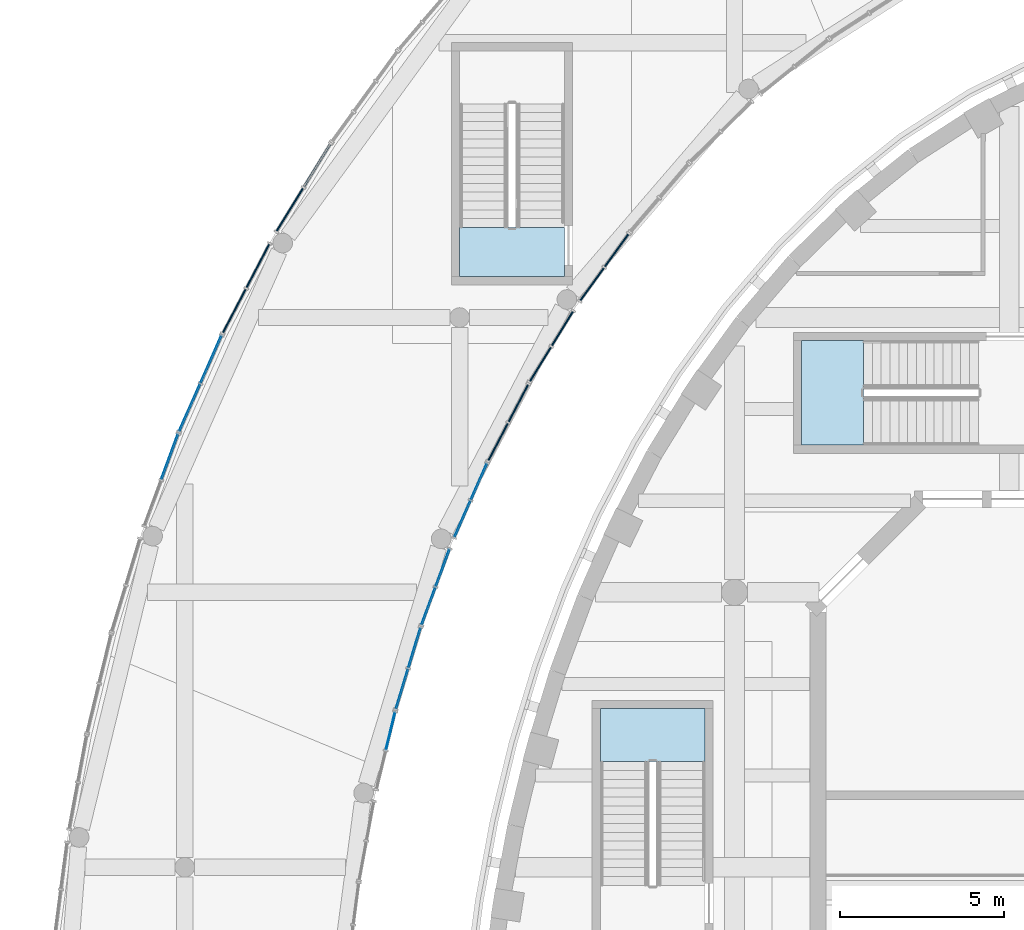
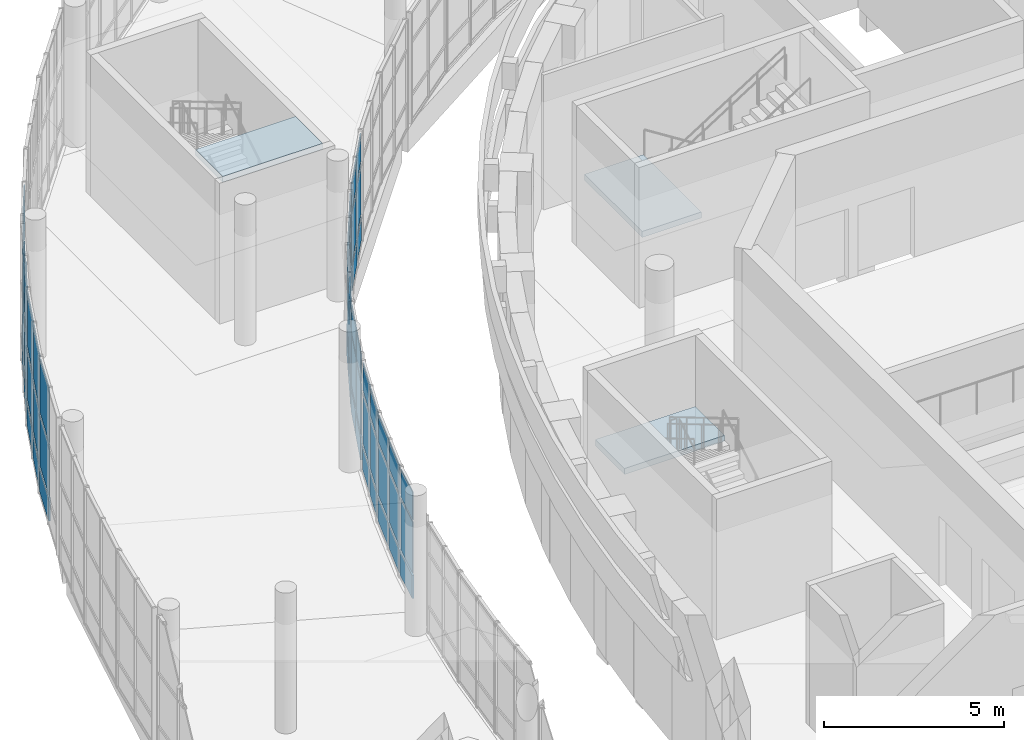
# One storey, part 50 of 119: 58 plates, 3 slabs, 14 elements without a shape of their own.
"""IFC4 building model written with IfcOpenShell, lengths in metres."""

from ifc_helpers import new_model, si_unit, direction, frame, origin, origin_2d, place, context, subcontext, project, spatial, polyline, rectangle, outline, extrude, material, layer, layer_set, type_object, element, aggregate, save


model = new_model("IFC4")

# Units and contexts
model_context = context("Model", 3, precision=1e-05, world=origin(), true_north=direction((0.0, 1.0)))
body_context = subcontext(model_context, "Body", "Model", "MODEL_VIEW")
ifc_project = project(units=[si_unit("LENGTHUNIT", "METRE"), si_unit("AREAUNIT", "SQUARE_METRE"), si_unit("VOLUMEUNIT", "CUBIC_METRE"), si_unit("PLANEANGLEUNIT", "RADIAN"), si_unit("MASSUNIT", "GRAM", prefix="KILO")], contexts=[model_context])

# Site, building, storey
site_placement = place(None, origin())
site = spatial("IfcSite", under=ifc_project, at=site_placement, CompositionType="ELEMENT")
building_placement = place(site_placement, origin())
building = spatial("IfcBuilding", under=site, at=building_placement, Name="Larchfold Concert Hall", CompositionType="ELEMENT")
storey_placement = place(building_placement, frame((0.0, 0.0, 4.800048828125)))
storey = spatial("IfcBuildingStorey", under=building, at=storey_placement, Name="L01", CompositionType="ELEMENT", Elevation=4.800048828125)

# Curtain wall, plates
ifc_material_1 = material(Name="Anodised graphite aluminium curtain wall", Category="aluminium")
ifc_layer_1 = layer(ifc_material_1, 0.14990234375)
ifc_layer_set_1 = layer_set([ifc_layer_1], Name="Anodised graphite aluminium curtain wall")
curtain_wall_type = type_object("IfcCurtainWallType", Name="Curtain wall WG", PredefinedType="NOTDEFINED", material=ifc_layer_set_1)
curtain_wall_1_placement = place(storey_placement, origin())
curtain_wall_1 = element("IfcCurtainWall", 1, at=curtain_wall_1_placement, inside=storey, type_object=curtain_wall_type, Name="Curtain wall CW0151", PredefinedType="NOTDEFINED")
ifc_material_2 = material(Name="Insulated glazing unit, glass", Category="glass")
ifc_layer_2 = layer(ifc_material_2, 0.028076171875)
ifc_layer_set_2 = layer_set([ifc_layer_2], Name="Insulated glazing unit, glass")
plate_type_1 = type_object("IfcPlateType", Name="Glass panel 28", PredefinedType="CURTAIN_PANEL", material=ifc_layer_set_2)
plate_1_placement = place(storey_placement, frame((15.286865234375, 97.163818359375, 0.93994140625), z_axis=(0.0, 0.0, 1.0), x_axis=(0.235963339363, 0.971761957722, 0.0)))
plate_1 = element("IfcPlate", 2, at=plate_1_placement, type_object=plate_type_1, Name="CW0151 panel 2.2", PredefinedType="CURTAIN_PANEL", context=body_context, shape_type="SweptSolid", body=[
    extrude(rectangle(XDim=1.169677734375, YDim=0.028076171875, at=origin_2d()), origin(), (0.0, 0.0, 1.0), 1.719970703125),
])
plate_2_placement = place(storey_placement, frame((15.286865234375, 97.163818359375, 2.740234375), z_axis=(0.0, 0.0, 1.0), x_axis=(0.235963339363, 0.971761957722, 0.0)))
plate_2 = element("IfcPlate", 3, at=plate_2_placement, type_object=plate_type_1, Name="CW0151 panel 2.3", PredefinedType="CURTAIN_PANEL", context=body_context, shape_type="SweptSolid", body=[
    extrude(rectangle(XDim=1.169677734375, YDim=0.028076171875, at=origin_2d()), origin(), (0.0, 0.0, 1.0), 0.929931640625),
])

curtain_wall_2_placement = place(storey_placement, origin())
curtain_wall_2 = element("IfcCurtainWall", 4, at=curtain_wall_2_placement, inside=storey, type_object=curtain_wall_type, Name="Curtain wall CW0152", PredefinedType="NOTDEFINED")
plate_3_placement = place(storey_placement, frame((15.638671875, 98.447998046875, 0.93994140625), z_axis=(0.0, 0.0, 1.0), x_axis=(0.290561772224, 0.956856236078, 0.0)))
plate_3 = element("IfcPlate", 5, at=plate_3_placement, type_object=plate_type_1, Name="CW0152 panel 1.2", PredefinedType="CURTAIN_PANEL", context=body_context, shape_type="SweptSolid", body=[
    extrude(rectangle(XDim=1.25439453125, YDim=0.028076171875, at=origin_2d()), origin(), (0.0, 0.0, 1.0), 1.719970703125),
])
plate_4_placement = place(storey_placement, frame((15.638671875, 98.447998046875, 2.740234375), z_axis=(0.0, 0.0, 1.0), x_axis=(0.290561772224, 0.956856236078, 0.0)))
plate_4 = element("IfcPlate", 6, at=plate_4_placement, type_object=plate_type_1, Name="CW0152 panel 1.3", PredefinedType="CURTAIN_PANEL", context=body_context, shape_type="SweptSolid", body=[
    extrude(rectangle(XDim=1.25439453125, YDim=0.028076171875, at=origin_2d()), origin(), (0.0, 0.0, 1.0), 0.929931640625),
])
plate_5_placement = place(storey_placement, frame((16.0205078125, 99.705810546875, 0.93994140625), z_axis=(0.0, 0.0, 1.0), x_axis=(0.290561772224, 0.956856236078, 0.0)))
plate_5 = element("IfcPlate", 7, at=plate_5_placement, type_object=plate_type_1, Name="CW0152 panel 2.2", PredefinedType="CURTAIN_PANEL", context=body_context, shape_type="SweptSolid", body=[
    extrude(rectangle(XDim=1.25439453125, YDim=0.028076171875, at=origin_2d()), origin(), (0.0, 0.0, 1.0), 1.719970703125),
])
plate_6_placement = place(storey_placement, frame((16.0205078125, 99.705810546875, 2.740234375), z_axis=(0.0, 0.0, 1.0), x_axis=(0.290561772224, 0.956856236078, 0.0)))
plate_6 = element("IfcPlate", 8, at=plate_6_placement, type_object=plate_type_1, Name="CW0152 panel 2.3", PredefinedType="CURTAIN_PANEL", context=body_context, shape_type="SweptSolid", body=[
    extrude(rectangle(XDim=1.25439453125, YDim=0.028076171875, at=origin_2d()), origin(), (0.0, 0.0, 1.0), 0.929931640625),
])

curtain_wall_3_placement = place(storey_placement, origin())
curtain_wall_3 = element("IfcCurtainWall", 9, at=curtain_wall_3_placement, inside=storey, type_object=curtain_wall_type, Name="Curtain wall CW0153", PredefinedType="NOTDEFINED")
plate_7_placement = place(storey_placement, frame((16.447021484375, 100.977294921875, 0.93994140625), z_axis=(0.0, 0.0, 1.0), x_axis=(0.346611808768, 0.938008664151, 0.0)))
plate_7 = element("IfcPlate", 10, at=plate_7_placement, type_object=plate_type_1, Name="CW0153 panel 1.2", PredefinedType="CURTAIN_PANEL", context=body_context, shape_type="SweptSolid", body=[
    extrude(rectangle(XDim=1.189208984375, YDim=0.028076171875, at=origin_2d()), origin(), (0.0, 0.0, 1.0), 1.719970703125),
])
plate_8_placement = place(storey_placement, frame((16.447021484375, 100.977294921875, 2.740234375), z_axis=(0.0, 0.0, 1.0), x_axis=(0.346611808768, 0.938008664151, 0.0)))
plate_8 = element("IfcPlate", 11, at=plate_8_placement, type_object=plate_type_1, Name="CW0153 panel 1.3", PredefinedType="CURTAIN_PANEL", context=body_context, shape_type="SweptSolid", body=[
    extrude(rectangle(XDim=1.189208984375, YDim=0.028076171875, at=origin_2d()), origin(), (0.0, 0.0, 1.0), 0.929931640625),
])
plate_9_placement = place(storey_placement, frame((16.880126953125, 102.14892578125, 0.93994140625), z_axis=(0.0, 0.0, 1.0), x_axis=(0.346611808768, 0.938008664151, 0.0)))
plate_9 = element("IfcPlate", 12, at=plate_9_placement, type_object=plate_type_1, Name="CW0153 panel 2.2", PredefinedType="CURTAIN_PANEL", context=body_context, shape_type="SweptSolid", body=[
    extrude(rectangle(XDim=1.189208984375, YDim=0.028076171875, at=origin_2d()), origin(), (0.0, 0.0, 1.0), 1.719970703125),
])
plate_10_placement = place(storey_placement, frame((16.880126953125, 102.14892578125, 2.740234375), z_axis=(0.0, 0.0, 1.0), x_axis=(0.346611808768, 0.938008664151, 0.0)))
plate_10 = element("IfcPlate", 13, at=plate_10_placement, type_object=plate_type_1, Name="CW0153 panel 2.3", PredefinedType="CURTAIN_PANEL", context=body_context, shape_type="SweptSolid", body=[
    extrude(rectangle(XDim=1.189208984375, YDim=0.028076171875, at=origin_2d()), origin(), (0.0, 0.0, 1.0), 0.929931640625),
])

curtain_wall_4_placement = place(storey_placement, origin())
curtain_wall_4 = element("IfcCurtainWall", 14, at=curtain_wall_4_placement, inside=storey, type_object=curtain_wall_type, Name="Curtain wall CW0154", PredefinedType="NOTDEFINED")
plate_11_placement = place(storey_placement, frame((17.48583984375, 103.64208984375, 0.93994140625), z_axis=(0.0, 0.0, 1.0), x_axis=(0.404033536523, 0.914744172632, 0.0)))
plate_11 = element("IfcPlate", 15, at=plate_11_placement, type_object=plate_type_1, Name="CW0154 panel 1.2", PredefinedType="CURTAIN_PANEL", context=body_context, shape_type="SweptSolid", body=[
    extrude(rectangle(XDim=1.185791015625, YDim=0.028076171875, at=origin_2d()), origin(), (0.0, 0.0, 1.0), 1.719970703125),
])
plate_12_placement = place(storey_placement, frame((17.48583984375, 103.64208984375, 2.740234375), z_axis=(0.0, 0.0, 1.0), x_axis=(0.404033536523, 0.914744172632, 0.0)))
plate_12 = element("IfcPlate", 16, at=plate_12_placement, type_object=plate_type_1, Name="CW0154 panel 1.3", PredefinedType="CURTAIN_PANEL", context=body_context, shape_type="SweptSolid", body=[
    extrude(rectangle(XDim=1.185791015625, YDim=0.028076171875, at=origin_2d()), origin(), (0.0, 0.0, 1.0), 0.929931640625),
])
plate_13_placement = place(storey_placement, frame((17.989013671875, 104.781982421875, 0.93994140625), z_axis=(0.0, 0.0, 1.0), x_axis=(0.404033536523, 0.914744172632, 0.0)))
plate_13 = element("IfcPlate", 17, at=plate_13_placement, type_object=plate_type_1, Name="CW0154 panel 2.2", PredefinedType="CURTAIN_PANEL", context=body_context, shape_type="SweptSolid", body=[
    extrude(rectangle(XDim=1.185791015625, YDim=0.028076171875, at=origin_2d()), origin(), (0.0, 0.0, 1.0), 1.719970703125),
])
plate_14_placement = place(storey_placement, frame((17.989013671875, 104.781982421875, 2.740234375), z_axis=(0.0, 0.0, 1.0), x_axis=(0.404033536523, 0.914744172632, 0.0)))
plate_14 = element("IfcPlate", 18, at=plate_14_placement, type_object=plate_type_1, Name="CW0154 panel 2.3", PredefinedType="CURTAIN_PANEL", context=body_context, shape_type="SweptSolid", body=[
    extrude(rectangle(XDim=1.185791015625, YDim=0.028076171875, at=origin_2d()), origin(), (0.0, 0.0, 1.0), 0.929931640625),
])

curtain_wall_5_placement = place(storey_placement, origin())
curtain_wall_5 = element("IfcCurtainWall", 19, at=curtain_wall_5_placement, inside=storey, type_object=curtain_wall_type, Name="Curtain wall CW0155", PredefinedType="NOTDEFINED")
plate_15_placement = place(storey_placement, frame((18.576171875, 105.997802734375, 0.93994140625), z_axis=(0.0, 0.0, 1.0), x_axis=(0.46318881793, 0.886259622766, 0.0)))
plate_15 = element("IfcPlate", 20, at=plate_15_placement, type_object=plate_type_1, Name="CW0155 panel 1.2", PredefinedType="CURTAIN_PANEL", context=body_context, shape_type="SweptSolid", body=[
    extrude(rectangle(XDim=1.276123046875, YDim=0.028076171875, at=origin_2d()), origin(), (0.0, 0.0, 1.0), 1.719970703125),
])
plate_16_placement = place(storey_placement, frame((18.576171875, 105.997802734375, 2.740234375), z_axis=(0.0, 0.0, 1.0), x_axis=(0.46318881793, 0.886259622766, 0.0)))
plate_16 = element("IfcPlate", 21, at=plate_16_placement, type_object=plate_type_1, Name="CW0155 panel 1.3", PredefinedType="CURTAIN_PANEL", context=body_context, shape_type="SweptSolid", body=[
    extrude(rectangle(XDim=1.276123046875, YDim=0.028076171875, at=origin_2d()), origin(), (0.0, 0.0, 1.0), 0.929931640625),
])
plate_17_placement = place(storey_placement, frame((19.1953125, 107.18212890625, 0.93994140625), z_axis=(0.0, 0.0, 1.0), x_axis=(0.46318881793, 0.886259622766, 0.0)))
plate_17 = element("IfcPlate", 22, at=plate_17_placement, type_object=plate_type_1, Name="CW0155 panel 2.2", PredefinedType="CURTAIN_PANEL", context=body_context, shape_type="SweptSolid", body=[
    extrude(rectangle(XDim=1.276123046875, YDim=0.028076171875, at=origin_2d()), origin(), (0.0, 0.0, 1.0), 1.719970703125),
])
plate_18_placement = place(storey_placement, frame((19.1953125, 107.18212890625, 2.740234375), z_axis=(0.0, 0.0, 1.0), x_axis=(0.46318881793, 0.886259622766, 0.0)))
plate_18 = element("IfcPlate", 23, at=plate_18_placement, type_object=plate_type_1, Name="CW0155 panel 2.3", PredefinedType="CURTAIN_PANEL", context=body_context, shape_type="SweptSolid", body=[
    extrude(rectangle(XDim=1.276123046875, YDim=0.028076171875, at=origin_2d()), origin(), (0.0, 0.0, 1.0), 0.929931640625),
])

curtain_wall_6_placement = place(storey_placement, origin())
curtain_wall_6 = element("IfcCurtainWall", 24, at=curtain_wall_6_placement, inside=storey, type_object=curtain_wall_type, Name="Curtain wall CW0156", PredefinedType="NOTDEFINED")
plate_19_placement = place(storey_placement, frame((19.869384765625, 108.37109375, 0.93994140625), z_axis=(0.0, 0.0, 1.0), x_axis=(0.524102627808, 0.851655115363, 0.0)))
plate_19 = element("IfcPlate", 25, at=plate_19_placement, type_object=plate_type_1, Name="CW0156 panel 1.2", PredefinedType="CURTAIN_PANEL", context=body_context, shape_type="SweptSolid", body=[
    extrude(rectangle(XDim=1.21923828125, YDim=0.028076171875, at=origin_2d()), origin(), (0.0, 0.0, 1.0), 1.719970703125),
])
plate_20_placement = place(storey_placement, frame((19.869384765625, 108.37109375, 2.740234375), z_axis=(0.0, 0.0, 1.0), x_axis=(0.524102627808, 0.851655115363, 0.0)))
plate_20 = element("IfcPlate", 26, at=plate_20_placement, type_object=plate_type_1, Name="CW0156 panel 1.3", PredefinedType="CURTAIN_PANEL", context=body_context, shape_type="SweptSolid", body=[
    extrude(rectangle(XDim=1.21923828125, YDim=0.028076171875, at=origin_2d()), origin(), (0.0, 0.0, 1.0), 0.929931640625),
])
plate_21_placement = place(storey_placement, frame((20.5400390625, 109.46044921875, 0.93994140625), z_axis=(0.0, 0.0, 1.0), x_axis=(0.524102627808, 0.851655115363, 0.0)))
plate_21 = element("IfcPlate", 27, at=plate_21_placement, type_object=plate_type_1, Name="CW0156 panel 2.2", PredefinedType="CURTAIN_PANEL", context=body_context, shape_type="SweptSolid", body=[
    extrude(rectangle(XDim=1.21923828125, YDim=0.028076171875, at=origin_2d()), origin(), (0.0, 0.0, 1.0), 1.719970703125),
])
plate_22_placement = place(storey_placement, frame((20.5400390625, 109.46044921875, 2.740234375), z_axis=(0.0, 0.0, 1.0), x_axis=(0.524102627808, 0.851655115363, 0.0)))
plate_22 = element("IfcPlate", 28, at=plate_22_placement, type_object=plate_type_1, Name="CW0156 panel 2.3", PredefinedType="CURTAIN_PANEL", context=body_context, shape_type="SweptSolid", body=[
    extrude(rectangle(XDim=1.21923828125, YDim=0.028076171875, at=origin_2d()), origin(), (0.0, 0.0, 1.0), 0.929931640625),
])

curtain_wall_7_placement = place(storey_placement, origin())
curtain_wall_7 = element("IfcCurtainWall", 29, at=curtain_wall_7_placement, inside=storey, type_object=curtain_wall_type, Name="Curtain wall CW0157", PredefinedType="NOTDEFINED")
plate_23_placement = place(storey_placement, frame((21.447998046875, 110.81689453125, 0.93994140625), z_axis=(0.0, 0.0, 1.0), x_axis=(0.58658570496, 0.809887159261, 0.0)))
plate_23 = element("IfcPlate", 30, at=plate_23_placement, type_object=plate_type_1, Name="CW0157 panel 1.2", PredefinedType="CURTAIN_PANEL", context=body_context, shape_type="SweptSolid", body=[
    extrude(rectangle(XDim=1.2197265625, YDim=0.028076171875, at=origin_2d()), origin(), (0.0, 0.0, 1.0), 1.719970703125),
])
plate_24_placement = place(storey_placement, frame((21.447998046875, 110.81689453125, 2.740234375), z_axis=(0.0, 0.0, 1.0), x_axis=(0.58658570496, 0.809887159261, 0.0)))
plate_24 = element("IfcPlate", 31, at=plate_24_placement, type_object=plate_type_1, Name="CW0157 panel 1.3", PredefinedType="CURTAIN_PANEL", context=body_context, shape_type="SweptSolid", body=[
    extrude(rectangle(XDim=1.2197265625, YDim=0.028076171875, at=origin_2d()), origin(), (0.0, 0.0, 1.0), 0.929931640625),
])
plate_25_placement = place(storey_placement, frame((22.198486328125, 111.853515625, 0.93994140625), z_axis=(0.0, 0.0, 1.0), x_axis=(0.58658570496, 0.809887159261, 0.0)))
plate_25 = element("IfcPlate", 32, at=plate_25_placement, type_object=plate_type_1, Name="CW0157 panel 2.2", PredefinedType="CURTAIN_PANEL", context=body_context, shape_type="SweptSolid", body=[
    extrude(rectangle(XDim=1.2197265625, YDim=0.028076171875, at=origin_2d()), origin(), (0.0, 0.0, 1.0), 1.719970703125),
])
plate_26_placement = place(storey_placement, frame((22.198486328125, 111.853515625, 2.740234375), z_axis=(0.0, 0.0, 1.0), x_axis=(0.58658570496, 0.809887159261, 0.0)))
plate_26 = element("IfcPlate", 33, at=plate_26_placement, type_object=plate_type_1, Name="CW0157 panel 2.3", PredefinedType="CURTAIN_PANEL", context=body_context, shape_type="SweptSolid", body=[
    extrude(rectangle(XDim=1.2197265625, YDim=0.028076171875, at=origin_2d()), origin(), (0.0, 0.0, 1.0), 0.929931640625),
])

curtain_wall_8_placement = place(storey_placement, origin())
curtain_wall_8 = element("IfcCurtainWall", 34, at=curtain_wall_8_placement, inside=storey, type_object=curtain_wall_type, Name="Curtain wall CW0186", PredefinedType="NOTDEFINED")
plate_27_placement = place(storey_placement, frame((12.209716796875, 113.096435546875, 0.93994140625), z_axis=(0.0, 0.0, 1.0), x_axis=(-0.524080591715, -0.851668675828, 0.0)))
plate_27 = element("IfcPlate", 35, at=plate_27_placement, type_object=plate_type_1, Name="CW0186 panel 2.2", PredefinedType="CURTAIN_PANEL", context=body_context, shape_type="SweptSolid", body=[
    extrude(rectangle(XDim=1.5283203125, YDim=0.028076171875, at=origin_2d()), origin(), (0.0, 0.0, 1.0), 1.719970703125),
])
plate_28_placement = place(storey_placement, frame((12.209716796875, 113.096435546875, 2.740234375), z_axis=(0.0, 0.0, 1.0), x_axis=(-0.524080591715, -0.851668675828, 0.0)))
plate_28 = element("IfcPlate", 36, at=plate_28_placement, type_object=plate_type_1, Name="CW0186 panel 2.3", PredefinedType="CURTAIN_PANEL", context=body_context, shape_type="SweptSolid", body=[
    extrude(rectangle(XDim=1.5283203125, YDim=0.028076171875, at=origin_2d()), origin(), (0.0, 0.0, 1.0), 1.829833984375),
])

curtain_wall_9_placement = place(storey_placement, origin())
curtain_wall_9 = element("IfcCurtainWall", 37, at=curtain_wall_9_placement, inside=storey, type_object=curtain_wall_type, Name="Curtain wall CW0187", PredefinedType="NOTDEFINED")
plate_29_placement = place(storey_placement, frame((11.234619140625, 111.380615234375, 0.93994140625), z_axis=(0.0, 0.0, 1.0), x_axis=(-0.463123662795, -0.886293671962, 0.0)))
plate_29 = element("IfcPlate", 38, at=plate_29_placement, type_object=plate_type_1, Name="CW0187 panel 1.2", PredefinedType="CURTAIN_PANEL", context=body_context, shape_type="SweptSolid", body=[
    extrude(rectangle(XDim=1.49560546875, YDim=0.028076171875, at=origin_2d()), origin(), (0.0, 0.0, 1.0), 1.719970703125),
])
plate_30_placement = place(storey_placement, frame((11.234619140625, 111.380615234375, 2.740234375), z_axis=(0.0, 0.0, 1.0), x_axis=(-0.463123662795, -0.886293671962, 0.0)))
plate_30 = element("IfcPlate", 39, at=plate_30_placement, type_object=plate_type_1, Name="CW0187 panel 1.3", PredefinedType="CURTAIN_PANEL", context=body_context, shape_type="SweptSolid", body=[
    extrude(rectangle(XDim=1.49560546875, YDim=0.028076171875, at=origin_2d()), origin(), (0.0, 0.0, 1.0), 1.829833984375),
])
plate_31_placement = place(storey_placement, frame((10.513916015625, 110.001953125, 0.93994140625), z_axis=(0.0, 0.0, 1.0), x_axis=(-0.463123662795, -0.886293671962, 0.0)))
plate_31 = element("IfcPlate", 40, at=plate_31_placement, type_object=plate_type_1, Name="CW0187 panel 2.2", PredefinedType="CURTAIN_PANEL", context=body_context, shape_type="SweptSolid", body=[
    extrude(rectangle(XDim=1.49560546875, YDim=0.028076171875, at=origin_2d()), origin(), (0.0, 0.0, 1.0), 1.719970703125),
])
plate_32_placement = place(storey_placement, frame((10.513916015625, 110.001953125, 2.740234375), z_axis=(0.0, 0.0, 1.0), x_axis=(-0.463123662795, -0.886293671962, 0.0)))
plate_32 = element("IfcPlate", 41, at=plate_32_placement, type_object=plate_type_1, Name="CW0187 panel 2.3", PredefinedType="CURTAIN_PANEL", context=body_context, shape_type="SweptSolid", body=[
    extrude(rectangle(XDim=1.49560546875, YDim=0.028076171875, at=origin_2d()), origin(), (0.0, 0.0, 1.0), 1.829833984375),
])

curtain_wall_10_placement = place(storey_placement, origin())
curtain_wall_10 = element("IfcCurtainWall", 42, at=curtain_wall_10_placement, inside=storey, type_object=curtain_wall_type, Name="Curtain wall CW0188", PredefinedType="NOTDEFINED")
plate_33_placement = place(storey_placement, frame((9.801513671875, 108.52001953125, 0.93994140625), z_axis=(0.0, 0.0, 1.0), x_axis=(-0.404126294549, -0.914703196701, 0.0)))
plate_33 = element("IfcPlate", 43, at=plate_33_placement, type_object=plate_type_1, Name="CW0188 panel 1.2", PredefinedType="CURTAIN_PANEL", context=body_context, shape_type="SweptSolid", body=[
    extrude(rectangle(XDim=1.554443359375, YDim=0.028076171875, at=origin_2d()), origin(), (0.0, 0.0, 1.0), 1.719970703125),
])
plate_34_placement = place(storey_placement, frame((9.801513671875, 108.52001953125, 2.740234375), z_axis=(0.0, 0.0, 1.0), x_axis=(-0.404126294549, -0.914703196701, 0.0)))
plate_34 = element("IfcPlate", 44, at=plate_34_placement, type_object=plate_type_1, Name="CW0188 panel 1.3", PredefinedType="CURTAIN_PANEL", context=body_context, shape_type="SweptSolid", body=[
    extrude(rectangle(XDim=1.554443359375, YDim=0.028076171875, at=origin_2d()), origin(), (0.0, 0.0, 1.0), 1.829833984375),
])
plate_35_placement = place(storey_placement, frame((9.149169921875, 107.04345703125, 0.93994140625), z_axis=(0.0, 0.0, 1.0), x_axis=(-0.404126294549, -0.914703196701, 0.0)))
plate_35 = element("IfcPlate", 45, at=plate_35_placement, type_object=plate_type_1, Name="CW0188 panel 2.2", PredefinedType="CURTAIN_PANEL", context=body_context, shape_type="SweptSolid", body=[
    extrude(rectangle(XDim=1.554443359375, YDim=0.028076171875, at=origin_2d()), origin(), (0.0, 0.0, 1.0), 1.719970703125),
])
plate_36_placement = place(storey_placement, frame((9.149169921875, 107.04345703125, 2.740234375), z_axis=(0.0, 0.0, 1.0), x_axis=(-0.404126294549, -0.914703196701, 0.0)))
plate_36 = element("IfcPlate", 46, at=plate_36_placement, type_object=plate_type_1, Name="CW0188 panel 2.3", PredefinedType="CURTAIN_PANEL", context=body_context, shape_type="SweptSolid", body=[
    extrude(rectangle(XDim=1.554443359375, YDim=0.028076171875, at=origin_2d()), origin(), (0.0, 0.0, 1.0), 1.829833984375),
])

curtain_wall_11_placement = place(storey_placement, origin())
curtain_wall_11 = element("IfcCurtainWall", 47, at=curtain_wall_11_placement, inside=storey, type_object=curtain_wall_type, Name="Curtain wall CW0189", PredefinedType="NOTDEFINED")
plate_37_placement = place(storey_placement, frame((8.539306640625, 105.542724609375, 0.93994140625), z_axis=(0.0, 0.0, 1.0), x_axis=(-0.346592402451, -0.938015834921, 0.0)))
plate_37 = element("IfcPlate", 48, at=plate_37_placement, type_object=plate_type_1, Name="CW0189 panel 1.2", PredefinedType="CURTAIN_PANEL", context=body_context, shape_type="SweptSolid", body=[
    extrude(rectangle(XDim=1.446533203125, YDim=0.028076171875, at=origin_2d()), origin(), (0.0, 0.0, 1.0), 1.719970703125),
])
plate_38_placement = place(storey_placement, frame((8.539306640625, 105.542724609375, 2.740234375), z_axis=(0.0, 0.0, 1.0), x_axis=(-0.346592402451, -0.938015834921, 0.0)))
plate_38 = element("IfcPlate", 49, at=plate_38_placement, type_object=plate_type_1, Name="CW0189 panel 1.3", PredefinedType="CURTAIN_PANEL", context=body_context, shape_type="SweptSolid", body=[
    extrude(rectangle(XDim=1.446533203125, YDim=0.028076171875, at=origin_2d()), origin(), (0.0, 0.0, 1.0), 1.829833984375),
])

# Plate
ifc_material_3 = material(Name="White insulated panel")
ifc_layer_3 = layer(ifc_material_3, 0.06005859375)
ifc_layer_set_3 = layer_set([ifc_layer_3], Name="White insulated panel")
plate_type_2 = type_object("IfcPlateType", Name="Insulated spandrel panel 60", PredefinedType="CURTAIN_PANEL", material=ifc_layer_set_3)
plate_39_placement = place(storey_placement, frame((15.286865234375, 97.163818359375, 0.080078125), z_axis=(0.0, 0.0, 1.0), x_axis=(0.235963339363, 0.971761957722, 0.0)))
plate_39 = element("IfcPlate", 50, at=plate_39_placement, type_object=plate_type_2, Name="CW0151 panel 2.1", PredefinedType="CURTAIN_PANEL", context=body_context, shape_type="SweptSolid", body=[
    extrude(rectangle(XDim=1.169677734375, YDim=0.06005859375, at=origin_2d()), origin(), (0.0, 0.0, 1.0), 0.77978515625),
])

aggregate(curtain_wall_1, [plate_39, plate_1, plate_2])

plate_40_placement = place(storey_placement, frame((15.638671875, 98.447998046875, 0.080078125), z_axis=(0.0, 0.0, 1.0), x_axis=(0.290561772224, 0.956856236078, 0.0)))
plate_40 = element("IfcPlate", 51, at=plate_40_placement, type_object=plate_type_2, Name="CW0152 panel 1.1", PredefinedType="CURTAIN_PANEL", context=body_context, shape_type="SweptSolid", body=[
    extrude(rectangle(XDim=1.25439453125, YDim=0.06005859375, at=origin_2d()), origin(), (0.0, 0.0, 1.0), 0.77978515625),
])

plate_41_placement = place(storey_placement, frame((16.0205078125, 99.705810546875, 0.080078125), z_axis=(0.0, 0.0, 1.0), x_axis=(0.290561772224, 0.956856236078, 0.0)))
plate_41 = element("IfcPlate", 52, at=plate_41_placement, type_object=plate_type_2, Name="CW0152 panel 2.1", PredefinedType="CURTAIN_PANEL", context=body_context, shape_type="SweptSolid", body=[
    extrude(rectangle(XDim=1.25439453125, YDim=0.06005859375, at=origin_2d()), origin(), (0.0, 0.0, 1.0), 0.77978515625),
])

aggregate(curtain_wall_2, [plate_40, plate_3, plate_4, plate_41, plate_5, plate_6])

plate_42_placement = place(storey_placement, frame((16.447021484375, 100.977294921875, 0.080078125), z_axis=(0.0, 0.0, 1.0), x_axis=(0.346611808768, 0.938008664151, 0.0)))
plate_42 = element("IfcPlate", 53, at=plate_42_placement, type_object=plate_type_2, Name="CW0153 panel 1.1", PredefinedType="CURTAIN_PANEL", context=body_context, shape_type="SweptSolid", body=[
    extrude(rectangle(XDim=1.189208984375, YDim=0.06005859375, at=origin_2d()), origin(), (0.0, 0.0, 1.0), 0.77978515625),
])

plate_43_placement = place(storey_placement, frame((16.880126953125, 102.14892578125, 0.080078125), z_axis=(0.0, 0.0, 1.0), x_axis=(0.346611808768, 0.938008664151, 0.0)))
plate_43 = element("IfcPlate", 54, at=plate_43_placement, type_object=plate_type_2, Name="CW0153 panel 2.1", PredefinedType="CURTAIN_PANEL", context=body_context, shape_type="SweptSolid", body=[
    extrude(rectangle(XDim=1.189208984375, YDim=0.06005859375, at=origin_2d()), origin(), (0.0, 0.0, 1.0), 0.77978515625),
])

aggregate(curtain_wall_3, [plate_42, plate_7, plate_8, plate_43, plate_9, plate_10])

plate_44_placement = place(storey_placement, frame((17.48583984375, 103.64208984375, 0.080078125), z_axis=(0.0, 0.0, 1.0), x_axis=(0.404033536523, 0.914744172632, 0.0)))
plate_44 = element("IfcPlate", 55, at=plate_44_placement, type_object=plate_type_2, Name="CW0154 panel 1.1", PredefinedType="CURTAIN_PANEL", context=body_context, shape_type="SweptSolid", body=[
    extrude(rectangle(XDim=1.185791015625, YDim=0.06005859375, at=origin_2d()), origin(), (0.0, 0.0, 1.0), 0.77978515625),
])

plate_45_placement = place(storey_placement, frame((17.989013671875, 104.781982421875, 0.080078125), z_axis=(0.0, 0.0, 1.0), x_axis=(0.404033536523, 0.914744172632, 0.0)))
plate_45 = element("IfcPlate", 56, at=plate_45_placement, type_object=plate_type_2, Name="CW0154 panel 2.1", PredefinedType="CURTAIN_PANEL", context=body_context, shape_type="SweptSolid", body=[
    extrude(rectangle(XDim=1.185791015625, YDim=0.06005859375, at=origin_2d()), origin(), (0.0, 0.0, 1.0), 0.77978515625),
])

aggregate(curtain_wall_4, [plate_44, plate_11, plate_12, plate_45, plate_13, plate_14])

plate_46_placement = place(storey_placement, frame((18.576171875, 105.997802734375, 0.080078125), z_axis=(0.0, 0.0, 1.0), x_axis=(0.46318881793, 0.886259622766, 0.0)))
plate_46 = element("IfcPlate", 57, at=plate_46_placement, type_object=plate_type_2, Name="CW0155 panel 1.1", PredefinedType="CURTAIN_PANEL", context=body_context, shape_type="SweptSolid", body=[
    extrude(rectangle(XDim=1.276123046875, YDim=0.06005859375, at=origin_2d()), origin(), (0.0, 0.0, 1.0), 0.77978515625),
])

plate_47_placement = place(storey_placement, frame((19.1953125, 107.18212890625, 0.080078125), z_axis=(0.0, 0.0, 1.0), x_axis=(0.46318881793, 0.886259622766, 0.0)))
plate_47 = element("IfcPlate", 58, at=plate_47_placement, type_object=plate_type_2, Name="CW0155 panel 2.1", PredefinedType="CURTAIN_PANEL", context=body_context, shape_type="SweptSolid", body=[
    extrude(rectangle(XDim=1.276123046875, YDim=0.06005859375, at=origin_2d()), origin(), (0.0, 0.0, 1.0), 0.77978515625),
])

aggregate(curtain_wall_5, [plate_46, plate_15, plate_16, plate_47, plate_17, plate_18])

plate_48_placement = place(storey_placement, frame((19.869384765625, 108.37109375, 0.080078125), z_axis=(0.0, 0.0, 1.0), x_axis=(0.524102627808, 0.851655115363, 0.0)))
plate_48 = element("IfcPlate", 59, at=plate_48_placement, type_object=plate_type_2, Name="CW0156 panel 1.1", PredefinedType="CURTAIN_PANEL", context=body_context, shape_type="SweptSolid", body=[
    extrude(rectangle(XDim=1.21923828125, YDim=0.06005859375, at=origin_2d()), origin(), (0.0, 0.0, 1.0), 0.77978515625),
])

plate_49_placement = place(storey_placement, frame((20.5400390625, 109.46044921875, 0.080078125), z_axis=(0.0, 0.0, 1.0), x_axis=(0.524102627808, 0.851655115363, 0.0)))
plate_49 = element("IfcPlate", 60, at=plate_49_placement, type_object=plate_type_2, Name="CW0156 panel 2.1", PredefinedType="CURTAIN_PANEL", context=body_context, shape_type="SweptSolid", body=[
    extrude(rectangle(XDim=1.21923828125, YDim=0.06005859375, at=origin_2d()), origin(), (0.0, 0.0, 1.0), 0.77978515625),
])

aggregate(curtain_wall_6, [plate_48, plate_19, plate_20, plate_49, plate_21, plate_22])

plate_50_placement = place(storey_placement, frame((21.447998046875, 110.81689453125, 0.080078125), z_axis=(0.0, 0.0, 1.0), x_axis=(0.58658570496, 0.809887159261, 0.0)))
plate_50 = element("IfcPlate", 61, at=plate_50_placement, type_object=plate_type_2, Name="CW0157 panel 1.1", PredefinedType="CURTAIN_PANEL", context=body_context, shape_type="SweptSolid", body=[
    extrude(rectangle(XDim=1.2197265625, YDim=0.06005859375, at=origin_2d()), origin(), (0.0, 0.0, 1.0), 0.77978515625),
])

plate_51_placement = place(storey_placement, frame((22.198486328125, 111.853515625, 0.080078125), z_axis=(0.0, 0.0, 1.0), x_axis=(0.58658570496, 0.809887159261, 0.0)))
plate_51 = element("IfcPlate", 62, at=plate_51_placement, type_object=plate_type_2, Name="CW0157 panel 2.1", PredefinedType="CURTAIN_PANEL", context=body_context, shape_type="SweptSolid", body=[
    extrude(rectangle(XDim=1.2197265625, YDim=0.06005859375, at=origin_2d()), origin(), (0.0, 0.0, 1.0), 0.77978515625),
])

aggregate(curtain_wall_7, [plate_50, plate_23, plate_24, plate_51, plate_25, plate_26])

plate_52_placement = place(storey_placement, frame((13.042236328125, 114.44921875, 0.080078125), z_axis=(0.0, 0.0, 1.0), x_axis=(-0.524080591715, -0.851668675828, 0.0)))
plate_52 = element("IfcPlate", 63, at=plate_52_placement, type_object=plate_type_2, Name="CW0186 panel 1.1", PredefinedType="CURTAIN_PANEL", context=body_context, shape_type="SweptSolid", body=[
    extrude(rectangle(XDim=1.5283203125, YDim=0.06005859375, at=origin_2d()), origin(), (0.0, 0.0, 1.0), 0.77978515625),
])

plate_53_placement = place(storey_placement, frame((12.209716796875, 113.096435546875, 0.080078125), z_axis=(0.0, 0.0, 1.0), x_axis=(-0.524080591715, -0.851668675828, 0.0)))
plate_53 = element("IfcPlate", 64, at=plate_53_placement, type_object=plate_type_2, Name="CW0186 panel 2.1", PredefinedType="CURTAIN_PANEL", context=body_context, shape_type="SweptSolid", body=[
    extrude(rectangle(XDim=1.5283203125, YDim=0.06005859375, at=origin_2d()), origin(), (0.0, 0.0, 1.0), 0.77978515625),
])

aggregate(curtain_wall_8, [plate_52, plate_53, plate_27, plate_28])

plate_54_placement = place(storey_placement, frame((11.234619140625, 111.380615234375, 0.080078125), z_axis=(0.0, 0.0, 1.0), x_axis=(-0.463123662795, -0.886293671962, 0.0)))
plate_54 = element("IfcPlate", 65, at=plate_54_placement, type_object=plate_type_2, Name="CW0187 panel 1.1", PredefinedType="CURTAIN_PANEL", context=body_context, shape_type="SweptSolid", body=[
    extrude(rectangle(XDim=1.49560546875, YDim=0.06005859375, at=origin_2d()), origin(), (0.0, 0.0, 1.0), 0.77978515625),
])

plate_55_placement = place(storey_placement, frame((10.513916015625, 110.001953125, 0.080078125), z_axis=(0.0, 0.0, 1.0), x_axis=(-0.463123662795, -0.886293671962, 0.0)))
plate_55 = element("IfcPlate", 66, at=plate_55_placement, type_object=plate_type_2, Name="CW0187 panel 2.1", PredefinedType="CURTAIN_PANEL", context=body_context, shape_type="SweptSolid", body=[
    extrude(rectangle(XDim=1.49560546875, YDim=0.06005859375, at=origin_2d()), origin(), (0.0, 0.0, 1.0), 0.77978515625),
])

aggregate(curtain_wall_9, [plate_54, plate_29, plate_30, plate_55, plate_31, plate_32])

plate_56_placement = place(storey_placement, frame((9.801513671875, 108.52001953125, 0.080078125), z_axis=(0.0, 0.0, 1.0), x_axis=(-0.404126294549, -0.914703196701, 0.0)))
plate_56 = element("IfcPlate", 67, at=plate_56_placement, type_object=plate_type_2, Name="CW0188 panel 1.1", PredefinedType="CURTAIN_PANEL", context=body_context, shape_type="SweptSolid", body=[
    extrude(rectangle(XDim=1.554443359375, YDim=0.06005859375, at=origin_2d()), origin(), (0.0, 0.0, 1.0), 0.77978515625),
])

plate_57_placement = place(storey_placement, frame((9.149169921875, 107.04345703125, 0.080078125), z_axis=(0.0, 0.0, 1.0), x_axis=(-0.404126294549, -0.914703196701, 0.0)))
plate_57 = element("IfcPlate", 68, at=plate_57_placement, type_object=plate_type_2, Name="CW0188 panel 2.1", PredefinedType="CURTAIN_PANEL", context=body_context, shape_type="SweptSolid", body=[
    extrude(rectangle(XDim=1.554443359375, YDim=0.06005859375, at=origin_2d()), origin(), (0.0, 0.0, 1.0), 0.77978515625),
])

aggregate(curtain_wall_10, [plate_56, plate_33, plate_34, plate_57, plate_35, plate_36])

plate_58_placement = place(storey_placement, frame((8.539306640625, 105.542724609375, 0.080078125), z_axis=(0.0, 0.0, 1.0), x_axis=(-0.346592402451, -0.938015834921, 0.0)))
plate_58 = element("IfcPlate", 69, at=plate_58_placement, type_object=plate_type_2, Name="CW0189 panel 1.1", PredefinedType="CURTAIN_PANEL", context=body_context, shape_type="SweptSolid", body=[
    extrude(rectangle(XDim=1.446533203125, YDim=0.06005859375, at=origin_2d()), origin(), (0.0, 0.0, 1.0), 0.77978515625),
])

aggregate(curtain_wall_11, [plate_58, plate_37, plate_38])

# Stair, slab
ifc_material_4 = material(Name="Concrete C35/45", Category="concrete")
stair_type = type_object("IfcStairType", Name="Stair RC half-turn enclosed", PredefinedType="HALF_TURN_STAIR", material=ifc_material_4)
stair_1_placement = place(storey_placement, origin())
stair_1 = element("IfcStair", 70, at=stair_1_placement, inside=storey, type_object=stair_type, Name="Stair DS3", PredefinedType="HALF_TURN_STAIR")
ifc_material_5 = material(Name="Concrete C35/45", Category="concrete")
ifc_layer_4 = layer(ifc_material_5, 0.199951171875)
ifc_layer_set_4 = layer_set([ifc_layer_4], Name="Concrete C35/45")
slab_type = type_object("IfcSlabType", Name="Stair landing RC 200", PredefinedType="LANDING", material=ifc_layer_set_4)
slab_1_placement = place(storey_placement, frame((0.0, 0.0, 2.199951171875)))
slab_1 = element("IfcSlab", 71, at=slab_1_placement, type_object=slab_type, Name="ST03 landing 1", PredefinedType="LANDING", context=body_context, shape_type="SweptSolid", body=[
    extrude(outline(polyline([(29.739990234375, 109.10009765625), (27.85009765625, 109.10009765625), (27.85009765625, 105.900146484375), (29.739990234375, 105.900146484375), (29.739990234375, 109.10009765625)])), origin(), (0.0, 0.0, 1.0), 0.199951171875),
])
aggregate(stair_1, [slab_1])

stair_2_placement = place(storey_placement, origin())
stair_2 = element("IfcStair", 72, at=stair_2_placement, inside=storey, type_object=stair_type, Name="Stair DS4", PredefinedType="HALF_TURN_STAIR")
slab_2_placement = place(storey_placement, frame((0.0, 0.0, 2.199951171875)))
slab_2 = element("IfcSlab", 73, at=slab_2_placement, type_object=slab_type, Name="ST04 landing 1", PredefinedType="LANDING", context=body_context, shape_type="SweptSolid", body=[
    extrude(outline(polyline([(24.89990234375, 96.22998046875), (24.89990234375, 97.85009765625), (21.699951171875, 97.85009765625), (21.699951171875, 96.22998046875), (24.89990234375, 96.22998046875)])), origin(), (0.0, 0.0, 1.0), 0.199951171875),
])
aggregate(stair_2, [slab_2])

stair_3_placement = place(storey_placement, origin())
stair_3 = element("IfcStair", 74, at=stair_3_placement, inside=storey, type_object=stair_type, Name="Stair WG3", PredefinedType="HALF_TURN_STAIR")
slab_3_placement = place(storey_placement, frame((0.0, 0.0, 4.599853515625)))
slab_3 = element("IfcSlab", 75, at=slab_3_placement, type_object=slab_type, Name="ST25 landing 2", PredefinedType="LANDING", context=body_context, shape_type="SweptSolid", body=[
    extrude(outline(polyline([(20.60009765625, 111.050048828125), (20.60009765625, 112.550048828125), (17.39990234375, 112.550048828125), (17.39990234375, 111.050048828125), (20.60009765625, 111.050048828125)])), origin(), (0.0, 0.0, 1.0), 0.2001953125),
])
aggregate(stair_3, [slab_3])

save(model, "model.ifc")
